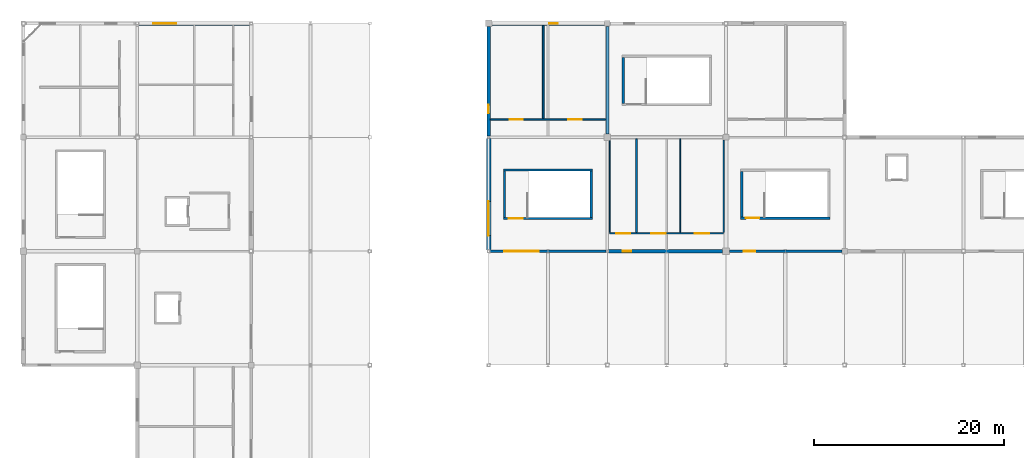
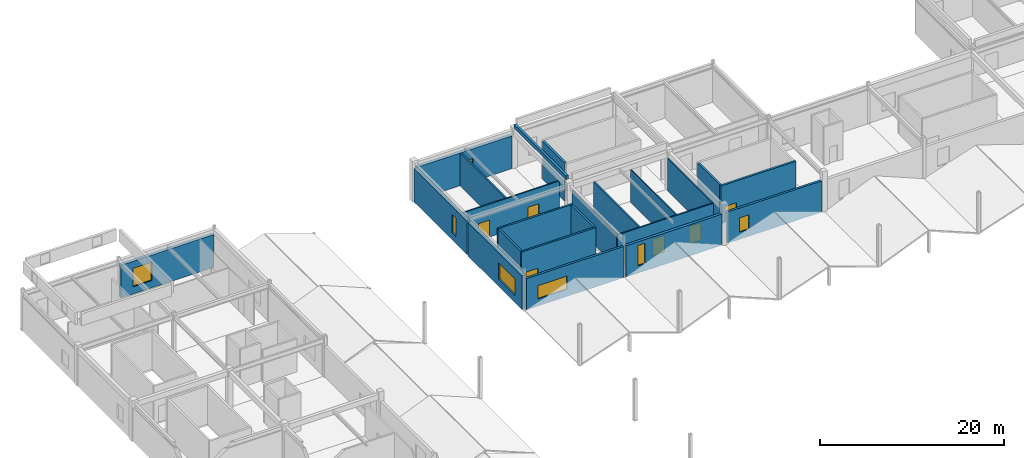
# One storey, part 69 of 76: 22 walls, 7 doors, 7 windows, 14 openings.
"""IFC4 building model written with IfcOpenShell, lengths in metres."""

from ifc_helpers import new_model, si_unit, direction, frame, frame_2d, origin, place, context, subcontext, project, spatial, rectangle, extrude, material, layer, layer_set, type_object, element, fill, save


model = new_model("IFC4")

# Units and contexts
model_context = context("Model", 3, precision=1e-05, world=origin(), true_north=direction((0.0, 1.0)))
body_context = subcontext(model_context, "Body", "Model", "MODEL_VIEW")
ifc_project = project(units=[si_unit("LENGTHUNIT", "METRE"), si_unit("AREAUNIT", "SQUARE_METRE"), si_unit("VOLUMEUNIT", "CUBIC_METRE"), si_unit("PLANEANGLEUNIT", "RADIAN"), si_unit("MASSUNIT", "GRAM", prefix="KILO")], contexts=[model_context])

# Site, building, storey
site_placement = place(None, origin())
site = spatial("IfcSite", under=ifc_project, at=site_placement, CompositionType="ELEMENT")
building_placement = place(site_placement, origin())
building = spatial("IfcBuilding", under=site, at=building_placement, Name="Kazenohara Klinker Stadium", CompositionType="ELEMENT")
storey_placement = place(building_placement, frame((0.0, 0.0, 25.800048828125)))
storey = spatial("IfcBuildingStorey", under=building, at=storey_placement, Name="L05", CompositionType="ELEMENT", Elevation=25.800048828125)

# Wall, opening, door
ifc_material_1 = material(Name="Concrete C40/50", Category="concrete")
ifc_layer_1 = layer(ifc_material_1, 0.22998046875)
ifc_layer_set_1 = layer_set([ifc_layer_1], Name="Concrete C40/50")
wall_type_1 = type_object("IfcWallType", Name="WAL-CORE-230", PredefinedType="SHEAR", material=ifc_layer_set_1)
wall_1_placement = place(storey_placement, frame((50.570068359375, 147.455078125, 0.0), z_axis=(0.0, 0.0, 1.0), x_axis=(1.0, 0.0, 0.0)))
wall_1 = element("IfcWall", 1, at=wall_1_placement, inside=storey, type_object=wall_type_1, Name="Stairwell shear wall ST08 L05 South", PredefinedType="SHEAR", context=body_context, shape_type="SweptSolid", body=[
    extrude(rectangle(XDim=9.35986328125, YDim=0.22998046875, at=frame_2d((4.679931640625, 0.0))), origin(), (0.0, 0.0, 1.0), 5.0400390625),
])
opening_1_placement = place(wall_1_placement, frame((0.550048828125, 0.0, 0.0)))
opening_1 = element("IfcOpeningElement", 2, at=opening_1_placement, cuts=wall_1, Name="Opening SD02", PredefinedType="OPENING", context=body_context, shape_type="SweptSolid", body=[
    extrude(rectangle(XDim=1.5, YDim=2.199951171875, at=frame_2d((0.75, 1.10009765625))), frame((0.0, 0.125, 0.0), z_axis=(0.0, -1.0, 0.0), x_axis=(1.0, 0.0, 0.0)), (0.0, 0.0, 1.0), 0.25),
])
ifc_material_2 = material(Name="Flush painted steel fire door leaf", Category="steel")
door_type_1 = type_object("IfcDoorType", Name="DR-STR-1500x2200", OperationType="NOTDEFINED", PredefinedType="DOOR", material=ifc_material_2)
door_1_placement = place(opening_1_placement, origin())
door_1 = element("IfcDoor", 3, at=door_1_placement, inside=storey, type_object=door_type_1, Name="Escape stairwell fire door ST08-L05", OperationType="SINGLE_SWING_RIGHT", OverallHeight=2.199951171875, OverallWidth=1.5, PredefinedType="DOOR", context=body_context, shape_type="SweptSolid", body=[
    extrude(rectangle(XDim=1.5, YDim=2.199951171875, at=frame_2d((0.75, 1.10009765625))), frame((0.0, 0.02490234375, 0.0), z_axis=(0.0, -1.0, 0.0), x_axis=(1.0, 0.0, 0.0)), (0.0, 0.0, 1.0), 0.050048828125),
])
fill(opening_1, door_1)

# Walls
wall_2_placement = place(storey_placement, frame((50.570068359375, 152.544921875, 0.0), z_axis=(0.0, 0.0, 1.0), x_axis=(1.0, 0.0, 0.0)))
element("IfcWall", 4, at=wall_2_placement, inside=storey, type_object=wall_type_1, Name="Stairwell shear wall ST08 L05 North", PredefinedType="SHEAR", context=body_context, shape_type="SweptSolid", body=[
    extrude(rectangle(XDim=9.35986328125, YDim=0.22998046875, at=frame_2d((4.679931640625, 0.0))), origin(), (0.0, 0.0, 1.0), 5.0400390625),
])
for number, where, z_axis, x_axis, name in (
    (5, (50.68505859375, 147.570068359375, 0.0), (0.0, 0.0, 1.0), (0.0, 1.0, 0.0), "Stairwell shear wall ST08 L05 West"),
    (6, (59.81494140625, 147.570068359375, 0.0), (0.0, 0.0, 1.0), (0.0, 1.0, 0.0), "Stairwell shear wall ST08 L05 East"),
):
    element("IfcWall", number, at=place(storey_placement, frame(where, z_axis=z_axis, x_axis=x_axis)), inside=storey, type_object=wall_type_1, Name=name, PredefinedType="SHEAR", context=body_context, shape_type="SweptSolid", body=[
        extrude(rectangle(XDim=4.85986328125, YDim=0.22998046875, at=frame_2d((2.429931640625, 0.0))), origin(), (0.0, 0.0, 1.0), 5.0400390625),
    ])

# Wall, opening, door
ifc_layer_2 = layer(ifc_material_1, 0.25)
ifc_layer_set_2 = layer_set([ifc_layer_2], Name="Concrete C40/50")
wall_type_2 = type_object("IfcWallType", Name="WAL-CORE-250", PredefinedType="SHEAR", material=ifc_layer_set_2)
wall_3_placement = place(storey_placement, frame((75.550048828125, 147.485107421875, 0.0), z_axis=(0.0, 0.0, 1.0), x_axis=(1.0, 0.0, 0.0)))
wall_3 = element("IfcWall", 7, at=wall_3_placement, inside=storey, type_object=wall_type_2, Name="Stairwell shear wall ST09 L05 South", PredefinedType="SHEAR", context=body_context, shape_type="SweptSolid", body=[
    extrude(rectangle(XDim=9.39990234375, YDim=0.25, at=frame_2d((4.699951171875, 0.0))), origin(), (0.0, 0.0, 1.0), 5.0400390625),
])
opening_2_placement = place(wall_3_placement, frame((0.550048828125, 0.0, 0.0)))
opening_2 = element("IfcOpeningElement", 8, at=opening_2_placement, cuts=wall_3, Name="Opening SD01", PredefinedType="OPENING", context=body_context, shape_type="SweptSolid", body=[
    extrude(rectangle(XDim=1.39990234375, YDim=2.14990234375, at=frame_2d((0.699951171875, 1.074951171875))), frame((0.0, 0.135009765625, 0.0), z_axis=(0.0, -1.0, 0.0), x_axis=(1.0, 0.0, 0.0)), (0.0, 0.0, 1.0), 0.27001953125),
])
door_type_2 = type_object("IfcDoorType", Name="DR-STR-1400x2150", OperationType="NOTDEFINED", PredefinedType="DOOR", material=ifc_material_2)
door_2_placement = place(opening_2_placement, origin())
door_2 = element("IfcDoor", 9, at=door_2_placement, inside=storey, type_object=door_type_2, Name="Escape stairwell fire door ST09-L05", OperationType="SINGLE_SWING_LEFT", OverallHeight=2.14990234375, OverallWidth=1.39990234375, PredefinedType="DOOR", context=body_context, shape_type="SweptSolid", body=[
    extrude(rectangle(XDim=1.39990234375, YDim=2.14990234375, at=frame_2d((0.699951171875, 1.074951171875))), frame((0.0, 0.02490234375, 0.0), z_axis=(0.0, -1.0, 0.0), x_axis=(1.0, 0.0, 0.0)), (0.0, 0.0, 1.0), 0.050048828125),
])
fill(opening_2, door_2)

# Walls
wall_4_placement = place(storey_placement, frame((75.675048828125, 147.610107421875, 0.0), z_axis=(0.0, 0.0, 1.0), x_axis=(0.0, 1.0, 0.0)))
element("IfcWall", 10, at=wall_4_placement, inside=storey, type_object=wall_type_2, Name="Stairwell shear wall ST09 L05 West", PredefinedType="SHEAR", context=body_context, shape_type="SweptSolid", body=[
    extrude(rectangle(XDim=4.77978515625, YDim=0.25, at=frame_2d((2.389892578125, 0.0))), origin(), (0.0, 0.0, 1.0), 5.0400390625),
])
wall_5_placement = place(storey_placement, frame((63.175048828125, 159.580078125, 0.0), z_axis=(0.0, 0.0, 1.0), x_axis=(0.0, 1.0, 0.0)))
element("IfcWall", 11, at=wall_5_placement, inside=storey, type_object=wall_type_2, Name="Stairwell shear wall ST15 L05 West", PredefinedType="SHEAR", context=body_context, shape_type="SweptSolid", body=[
    extrude(rectangle(XDim=4.83984375, YDim=0.25, at=frame_2d((2.419921875, 0.0))), origin(), (0.0, 0.0, 1.0), 5.0400390625),
])

# Wall, opening, window
ifc_material_3 = material(Name="Clinker brick masonry", Category="masonry")
ifc_layer_3 = layer(ifc_material_3, 0.280029296875)
ifc_layer_set_3 = layer_set([ifc_layer_3], Name="Clinker brick masonry")
wall_type_3 = type_object("IfcWallType", Name="WAL-EXT-CB280", PredefinedType="SOLIDWALL", material=ifc_layer_set_3)
wall_6_placement = place(storey_placement, frame((49.154052734375, 144.0, 0.0), z_axis=(0.0, 0.0, 1.0), x_axis=(1.0, 0.0, 0.0)))
wall_6 = element("IfcWall", 12, at=wall_6_placement, inside=storey, type_object=wall_type_3, Name="Clinker brick cavity wall EW06 L05 X4-12", PredefinedType="SOLIDWALL", context=body_context, shape_type="SweptSolid", body=[
    extrude(rectangle(XDim=12.217041015625, YDim=0.280029296875, at=frame_2d((6.1083984375, 0.0))), origin(), (0.0, 0.0, 1.0), 4.1298828125),
])
opening_3_placement = place(wall_6_placement, frame((1.5, 0.0, 0.949951171875)))
opening_3 = element("IfcOpeningElement", 13, at=opening_3_placement, cuts=wall_6, Name="Opening W35", PredefinedType="OPENING", context=body_context, shape_type="SweptSolid", body=[
    extrude(rectangle(XDim=3.60009765625, YDim=1.75, at=frame_2d((1.800048828125, 0.875))), frame((0.0, 0.14990234375, 0.0), z_axis=(0.0, -1.0, 0.0), x_axis=(1.0, 0.0, 0.0)), (0.0, 0.0, 1.0), 0.300048828125),
])
ifc_material_4 = material(Name="Dark bronze aluminium frame and triple glazing", Category="aluminium")
window_type_1 = type_object("IfcWindowType", Name="WIN-AS-35", PartitioningType="SINGLE_PANEL", PredefinedType="WINDOW", material=ifc_material_4)
window_1_placement = place(opening_3_placement, origin())
window_1 = element("IfcWindow", 14, at=window_1_placement, inside=storey, type_object=window_type_1, Name="Horizontal-mullion ladder window W35 L05 X4-12", OverallHeight=1.75, OverallWidth=3.60009765625, PartitioningType="SINGLE_PANEL", PredefinedType="WINDOW", context=body_context, shape_type="SweptSolid", body=[
    extrude(rectangle(XDim=3.60009765625, YDim=1.75, at=frame_2d((1.800048828125, 0.875))), frame((0.0, 0.030029296875, 0.0), z_axis=(0.0, -1.0, 0.0), x_axis=(1.0, 0.0, 0.0)), (0.0, 0.0, 1.0), 0.06005859375),
])
fill(opening_3, window_1)

wall_7_placement = place(storey_placement, frame((74.35400390625, 144.0, 0.0), z_axis=(0.0, 0.0, 1.0), x_axis=(1.0, 0.0, 0.0)))
wall_7 = element("IfcWall", 15, at=wall_7_placement, inside=storey, type_object=wall_type_3, Name="Clinker brick cavity wall EW06 L05 X6-12", PredefinedType="SOLIDWALL", context=body_context, shape_type="SweptSolid", body=[
    extrude(rectangle(XDim=11.842041015625, YDim=0.280029296875, at=frame_2d((5.9208984375, 0.0))), origin(), (0.0, 0.0, 1.0), 4.1298828125),
])
opening_4_placement = place(wall_7_placement, frame((1.5, 0.0, 0.949951171875)))
opening_4 = element("IfcOpeningElement", 16, at=opening_4_placement, cuts=wall_7, Name="Opening W05", PredefinedType="OPENING", context=body_context, shape_type="SweptSolid", body=[
    extrude(rectangle(XDim=1.199951171875, YDim=1.89990234375, at=frame_2d((0.60009765625, 0.949951171875))), frame((0.0, 0.14990234375, 0.0), z_axis=(0.0, -1.0, 0.0), x_axis=(1.0, 0.0, 0.0)), (0.0, 0.0, 1.0), 0.300048828125),
])
window_type_2 = type_object("IfcWindowType", Name="WIN-AS-05", PartitioningType="SINGLE_PANEL", PredefinedType="WINDOW", material=ifc_material_4)
window_2_placement = place(opening_4_placement, origin())
window_2 = element("IfcWindow", 17, at=window_2_placement, inside=storey, type_object=window_type_2, Name="Horizontal-mullion ladder window W05 L05 X6-12", OverallHeight=1.89990234375, OverallWidth=1.199951171875, PartitioningType="SINGLE_PANEL", PredefinedType="WINDOW", context=body_context, shape_type="SweptSolid", body=[
    extrude(rectangle(XDim=1.199951171875, YDim=1.89990234375, at=frame_2d((0.60009765625, 0.949951171875))), frame((0.0, 0.030029296875, 0.0), z_axis=(0.0, -1.0, 0.0), x_axis=(1.0, 0.0, 0.0)), (0.0, 0.0, 1.0), 0.06005859375),
])
fill(opening_4, window_2)

# Wall
ifc_layer_4 = layer(ifc_material_3, 0.31005859375)
ifc_layer_set_4 = layer_set([ifc_layer_4], Name="Clinker brick masonry")
wall_type_4 = type_object("IfcWallType", Name="WAL-EXT-CB310", PredefinedType="SOLIDWALL", material=ifc_layer_set_4)
wall_8_placement = place(storey_placement, frame((61.5, 156.35009765625, 5.39990234375), z_axis=(0.0, 0.0, 1.0), x_axis=(0.0, 1.0, 0.0)))
element("IfcWall", 18, at=wall_8_placement, inside=storey, type_object=wall_type_4, Name="Turret crown klinker wall EW05 NBST-05-W", PredefinedType="SOLIDWALL", context=body_context, shape_type="SweptSolid", body=[
    extrude(rectangle(XDim=11.2998046875, YDim=0.31005859375, at=frame_2d((5.64990234375, 0.0))), origin(), (0.0, 0.0, 1.0), 0.47998046875),
])

# Wall, opening, window
ifc_layer_5 = layer(ifc_material_3, 0.340087890625)
ifc_layer_set_5 = layer_set([ifc_layer_5], Name="Clinker brick masonry")
wall_type_5 = type_object("IfcWallType", Name="WAL-EXT-CB340", PredefinedType="SOLIDWALL", material=ifc_layer_set_5)
wall_9_placement = place(storey_placement, frame((61.62890625, 144.0, 0.0), z_axis=(0.0, 0.0, 1.0), x_axis=(1.0, 0.0, 0.0)))
wall_9 = element("IfcWall", 19, at=wall_9_placement, inside=storey, type_object=wall_type_5, Name="Clinker brick cavity wall EW04 L05 X5-12", PredefinedType="SOLIDWALL", context=body_context, shape_type="SweptSolid", body=[
    extrude(rectangle(XDim=12.01708984375, YDim=0.340087890625, at=frame_2d((6.008544921875, 0.0))), origin(), (0.0, 0.0, 1.0), 4.1298828125),
])
opening_5_placement = place(wall_9_placement, frame((1.5, 0.0, 0.949951171875)))
opening_5 = element("IfcOpeningElement", 20, at=opening_5_placement, cuts=wall_9, Name="Opening W03", PredefinedType="OPENING", context=body_context, shape_type="SweptSolid", body=[
    extrude(rectangle(XDim=0.89990234375, YDim=2.699951171875, at=frame_2d((0.449951171875, 1.35009765625))), frame((0.0, 0.18017578125, 0.0), z_axis=(0.0, -1.0, 0.0), x_axis=(1.0, 0.0, 0.0)), (0.0, 0.0, 1.0), 0.360107421875),
])
window_type_3 = type_object("IfcWindowType", Name="WIN-AS-03", PartitioningType="SINGLE_PANEL", PredefinedType="WINDOW", material=ifc_material_4)
window_3_placement = place(opening_5_placement, origin())
window_3 = element("IfcWindow", 21, at=window_3_placement, inside=storey, type_object=window_type_3, Name="Horizontal-mullion ladder window W03 L05 X5-12", OverallHeight=2.699951171875, OverallWidth=0.89990234375, PartitioningType="SINGLE_PANEL", PredefinedType="WINDOW", context=body_context, shape_type="SweptSolid", body=[
    extrude(rectangle(XDim=0.89990234375, YDim=2.699951171875, at=frame_2d((0.449951171875, 1.35009765625))), frame((0.0, 0.030029296875, 0.0), z_axis=(0.0, -1.0, 0.0), x_axis=(1.0, 0.0, 0.0)), (0.0, 0.0, 1.0), 0.06005859375),
])
fill(opening_5, window_3)

ifc_layer_6 = layer(ifc_material_3, 0.3701171875)
ifc_layer_set_6 = layer_set([ifc_layer_6], Name="Clinker brick masonry")
wall_type_6 = type_object("IfcWallType", Name="WAL-EXT-CB370", PredefinedType="SOLIDWALL", material=ifc_layer_set_6)
wall_10_placement = place(storey_placement, frame((49.0, 156.12890625, 0.0), z_axis=(0.0, 0.0, 1.0), x_axis=(0.0, 1.0, 0.0)))
wall_10 = element("IfcWall", 22, at=wall_10_placement, inside=storey, type_object=wall_type_6, Name="Clinker brick cavity wall EW03 L05 Y4-13", PredefinedType="SOLIDWALL", context=body_context, shape_type="SweptSolid", body=[
    extrude(rectangle(XDim=11.51708984375, YDim=0.3701171875, at=frame_2d((5.758544921875, 0.0))), origin(), (0.0, 0.0, 1.0), 4.451904296875),
])
opening_6_placement = place(wall_10_placement, frame((2.39111328125, 0.0, 0.949951171875)))
opening_6 = element("IfcOpeningElement", 23, at=opening_6_placement, cuts=wall_10, Name="Opening W02", PredefinedType="OPENING", context=body_context, shape_type="SweptSolid", body=[
    extrude(rectangle(XDim=0.89990234375, YDim=2.39990234375, at=frame_2d((0.449951171875, 1.199951171875))), frame((0.0, 0.195068359375, 0.0), z_axis=(0.0, -1.0, 0.0), x_axis=(1.0, 0.0, 0.0)), (0.0, 0.0, 1.0), 0.39013671875),
])
window_type_4 = type_object("IfcWindowType", Name="WIN-AS-02", PartitioningType="SINGLE_PANEL", PredefinedType="WINDOW", material=ifc_material_4)
window_4_placement = place(opening_6_placement, origin())
window_4 = element("IfcWindow", 24, at=window_4_placement, inside=storey, type_object=window_type_4, Name="Horizontal-mullion ladder window W02 L05 Y4-13", OverallHeight=2.39990234375, OverallWidth=0.89990234375, PartitioningType="SINGLE_PANEL", PredefinedType="WINDOW", context=body_context, shape_type="SweptSolid", body=[
    extrude(rectangle(XDim=0.89990234375, YDim=2.39990234375, at=frame_2d((0.449951171875, 1.199951171875))), frame((0.0, 0.030029296875, 0.0), z_axis=(0.0, -1.0, 0.0), x_axis=(1.0, 0.0, 0.0)), (0.0, 0.0, 1.0), 0.06005859375),
])
fill(opening_6, window_4)

ifc_layer_7 = layer(ifc_material_3, 0.409912109375)
ifc_layer_set_7 = layer_set([ifc_layer_7], Name="Clinker brick masonry")
wall_type_7 = type_object("IfcWallType", Name="WAL-EXT-CB410", PredefinedType="SOLIDWALL", material=ifc_layer_set_7)
wall_11_placement = place(storey_placement, frame((12.178955078125, 168.0, 0.0), z_axis=(0.0, 0.0, 1.0), x_axis=(1.0, 0.0, 0.0)))
wall_11 = element("IfcWall", 25, at=wall_11_placement, inside=storey, type_object=wall_type_7, Name="Clinker brick cavity wall EW02 L05 X1-14", PredefinedType="SOLIDWALL", context=body_context, shape_type="SweptSolid", body=[
    extrude(rectangle(XDim=11.6669921875, YDim=0.409912109375, at=frame_2d((5.83349609375, 0.0))), origin(), (0.0, 0.0, 1.0), 4.33984375),
])
opening_7_placement = place(wall_11_placement, frame((1.5, 0.0, 0.949951171875)))
opening_7 = element("IfcOpeningElement", 26, at=opening_7_placement, cuts=wall_11, Name="Opening W25", PredefinedType="OPENING", context=body_context, shape_type="SweptSolid", body=[
    extrude(rectangle(XDim=2.39990234375, YDim=2.449951171875, at=frame_2d((1.199951171875, 1.22509765625))), frame((0.0, 0.21484375, 0.0), z_axis=(0.0, -1.0, 0.0), x_axis=(1.0, 0.0, 0.0)), (0.0, 0.0, 1.0), 0.429931640625),
])
window_type_5 = type_object("IfcWindowType", Name="WIN-AS-25", PartitioningType="SINGLE_PANEL", PredefinedType="WINDOW", material=ifc_material_4)
window_5_placement = place(opening_7_placement, origin())
window_5 = element("IfcWindow", 27, at=window_5_placement, inside=storey, type_object=window_type_5, Name="Horizontal-mullion ladder window W25 L05 X1-14", OverallHeight=2.449951171875, OverallWidth=2.39990234375, PartitioningType="SINGLE_PANEL", PredefinedType="WINDOW", context=body_context, shape_type="SweptSolid", body=[
    extrude(rectangle(XDim=2.39990234375, YDim=2.449951171875, at=frame_2d((1.199951171875, 1.22509765625))), frame((0.0, 0.030029296875, 0.0), z_axis=(0.0, -1.0, 0.0), x_axis=(1.0, 0.0, 0.0)), (0.0, 0.0, 1.0), 0.06005859375),
])
fill(opening_7, window_5)

wall_12_placement = place(storey_placement, frame((49.35400390625, 168.0, 0.0), z_axis=(0.0, 0.0, 1.0), x_axis=(1.0, 0.0, 0.0)))
wall_12 = element("IfcWall", 28, at=wall_12_placement, inside=storey, type_object=wall_type_7, Name="Clinker brick cavity wall EW02 L05 X4-14", PredefinedType="SOLIDWALL", context=body_context, shape_type="SweptSolid", body=[
    extrude(rectangle(XDim=11.842041015625, YDim=0.409912109375, at=frame_2d((5.9208984375, 0.0))), origin(), (0.0, 0.0, 1.0), 4.33984375),
])
opening_8_placement = place(wall_12_placement, frame((6.038818359375, 0.0, 0.949951171875)))
opening_8 = element("IfcOpeningElement", 29, at=opening_8_placement, cuts=wall_12, Name="Opening W01", PredefinedType="OPENING", context=body_context, shape_type="SweptSolid", body=[
    extrude(rectangle(XDim=0.89990234375, YDim=2.10009765625, at=frame_2d((0.449951171875, 1.050048828125))), frame((0.0, 0.21484375, 0.0), z_axis=(0.0, -1.0, 0.0), x_axis=(1.0, 0.0, 0.0)), (0.0, 0.0, 1.0), 0.429931640625),
])
window_type_6 = type_object("IfcWindowType", Name="WIN-AS-01", PartitioningType="SINGLE_PANEL", PredefinedType="WINDOW", material=ifc_material_4)
window_6_placement = place(opening_8_placement, origin())
window_6 = element("IfcWindow", 30, at=window_6_placement, inside=storey, type_object=window_type_6, Name="Horizontal-mullion ladder window W01 L05 X4-14", OverallHeight=2.10009765625, OverallWidth=0.89990234375, PartitioningType="SINGLE_PANEL", PredefinedType="WINDOW", context=body_context, shape_type="SweptSolid", body=[
    extrude(rectangle(XDim=0.89990234375, YDim=2.10009765625, at=frame_2d((0.449951171875, 1.050048828125))), frame((0.0, 0.030029296875, 0.0), z_axis=(0.0, -1.0, 0.0), x_axis=(1.0, 0.0, 0.0)), (0.0, 0.0, 1.0), 0.06005859375),
])
fill(opening_8, window_6)

ifc_layer_8 = layer(ifc_material_3, 0.449951171875)
ifc_layer_set_8 = layer_set([ifc_layer_8], Name="Clinker brick masonry")
wall_type_8 = type_object("IfcWallType", Name="WAL-EXT-CB450", PredefinedType="SOLIDWALL", material=ifc_layer_set_8)
wall_13_placement = place(storey_placement, frame((49.0, 144.154052734375, 0.0), z_axis=(0.0, 0.0, 1.0), x_axis=(0.0, 1.0, 0.0)))
wall_13 = element("IfcWall", 31, at=wall_13_placement, inside=storey, type_object=wall_type_8, Name="Clinker brick cavity wall EW01 L05 Y4-12", PredefinedType="SOLIDWALL", context=body_context, shape_type="SweptSolid", body=[
    extrude(rectangle(XDim=11.717041015625, YDim=0.449951171875, at=frame_2d((5.8583984375, 0.0))), origin(), (0.0, 0.0, 1.0), 4.43994140625),
])
opening_9_placement = place(wall_13_placement, frame((1.5, 0.0, 0.949951171875)))
opening_9 = element("IfcOpeningElement", 32, at=opening_9_placement, cuts=wall_13, Name="Opening W36", PredefinedType="OPENING", context=body_context, shape_type="SweptSolid", body=[
    extrude(rectangle(XDim=3.60009765625, YDim=2.14990234375, at=frame_2d((1.800048828125, 1.074951171875))), frame((0.0, 0.23486328125, 0.0), z_axis=(0.0, -1.0, 0.0), x_axis=(1.0, 0.0, 0.0)), (0.0, 0.0, 1.0), 0.469970703125),
])
window_type_7 = type_object("IfcWindowType", Name="WIN-AS-36", PartitioningType="SINGLE_PANEL", PredefinedType="WINDOW", material=ifc_material_4)
window_7_placement = place(opening_9_placement, origin())
window_7 = element("IfcWindow", 33, at=window_7_placement, inside=storey, type_object=window_type_7, Name="Horizontal-mullion ladder window W36 L05 Y4-12", OverallHeight=2.14990234375, OverallWidth=3.60009765625, PartitioningType="SINGLE_PANEL", PredefinedType="WINDOW", context=body_context, shape_type="SweptSolid", body=[
    extrude(rectangle(XDim=3.60009765625, YDim=2.14990234375, at=frame_2d((1.800048828125, 1.074951171875))), frame((0.0, 0.030029296875, 0.0), z_axis=(0.0, -1.0, 0.0), x_axis=(1.0, 0.0, 0.0)), (0.0, 0.0, 1.0), 0.06005859375),
])
fill(opening_9, window_7)

# Walls
ifc_material_5 = material(Name="Fire-rated gypsum board on acoustic studs", Category="gypsum")
ifc_layer_9 = layer(ifc_material_5, 0.110107421875)
ifc_layer_set_9 = layer_set([ifc_layer_9], Name="Fire-rated gypsum board on acoustic studs")
wall_type_9 = type_object("IfcWallType", Name="WAL-INT-P110", PredefinedType="PARTITIONING", material=ifc_layer_set_9)
wall_14_placement = place(storey_placement, frame((69.201171875, 145.97998046875, 0.0), z_axis=(0.0, 0.0, 1.0), x_axis=(0.0, 1.0, 0.0)))
element("IfcWall", 34, at=wall_14_placement, inside=storey, type_object=wall_type_9, Name="Interior partition wall PT01 SPC-L05-05-12-1-6", PredefinedType="PARTITIONING", context=body_context, shape_type="SweptSolid", body=[
    extrude(rectangle(XDim=9.863037109375, YDim=0.110107421875, at=frame_2d((4.931640625, 0.0))), origin(), (0.0, 0.0, 1.0), 4.349853515625),
])
ifc_layer_10 = layer(ifc_material_5, 0.1201171875)
ifc_layer_set_10 = layer_set([ifc_layer_10], Name="Fire-rated gypsum board on acoustic studs")
wall_type_10 = type_object("IfcWallType", Name="WAL-INT-P120", PredefinedType="PARTITIONING", material=ifc_layer_set_10)
wall_15_placement = place(storey_placement, frame((61.739990234375, 145.97998046875, 0.0), z_axis=(0.0, 0.0, 1.0), x_axis=(0.0, 1.0, 0.0)))
element("IfcWall", 35, at=wall_15_placement, inside=storey, type_object=wall_type_10, Name="Interior partition wall PT02 SPC-L05-05-12-1-1", PredefinedType="PARTITIONING", context=body_context, shape_type="SweptSolid", body=[
    extrude(rectangle(XDim=9.666015625, YDim=0.1201171875, at=frame_2d((4.8330078125, 0.0))), origin(), (0.0, 0.0, 1.0), 4.349853515625),
])
ifc_layer_11 = layer(ifc_material_5, 0.139892578125)
ifc_layer_set_11 = layer_set([ifc_layer_11], Name="Fire-rated gypsum board on acoustic studs")
wall_type_11 = type_object("IfcWallType", Name="WAL-INT-P140", PredefinedType="PARTITIONING", material=ifc_layer_set_11)
wall_16_placement = place(storey_placement, frame((73.760009765625, 145.97998046875, 0.0), z_axis=(0.0, 0.0, 1.0), x_axis=(0.0, 1.0, 0.0)))
element("IfcWall", 36, at=wall_16_placement, inside=storey, type_object=wall_type_11, Name="Interior partition wall PT03 SPC-L05-05-12-1-2", PredefinedType="PARTITIONING", context=body_context, shape_type="SweptSolid", body=[
    extrude(rectangle(XDim=9.716064453125, YDim=0.139892578125, at=frame_2d((4.85791015625, 0.0))), origin(), (0.0, 0.0, 1.0), 4.300048828125),
])

# Wall, openings, doors
ifc_layer_12 = layer(ifc_material_5, 0.169921875)
ifc_layer_set_12 = layer_set([ifc_layer_12], Name="Fire-rated gypsum board on acoustic studs")
wall_type_12 = type_object("IfcWallType", Name="WAL-INT-P170", PredefinedType="PARTITIONING", material=ifc_layer_set_12)
wall_17_placement = place(storey_placement, frame((49.18701171875, 157.889892578125, 0.0), z_axis=(0.0, 0.0, 1.0), x_axis=(1.0, 0.0, 0.0)))
wall_17 = element("IfcWall", 37, at=wall_17_placement, inside=storey, type_object=wall_type_12, Name="Interior partition wall PT05 SPC-L05-04-13-1-1", PredefinedType="PARTITIONING", context=body_context, shape_type="SweptSolid", body=[
    extrude(rectangle(XDim=12.156005859375, YDim=0.169921875, at=frame_2d((6.078125, 0.0))), origin(), (0.0, 0.0, 1.0), 4.349853515625),
])
opening_10_placement = place(wall_17_placement, frame((2.054443359375, 0.0, 0.0)))
opening_10 = element("IfcOpeningElement", 38, at=opening_10_placement, cuts=wall_17, Name="Opening ID17", PredefinedType="OPENING", context=body_context, shape_type="SweptSolid", body=[
    extrude(rectangle(XDim=1.360107421875, YDim=2.25, at=frame_2d((0.68017578125, 1.125))), frame((0.0, 0.094970703125, 0.0), z_axis=(0.0, -1.0, 0.0), x_axis=(1.0, 0.0, 0.0)), (0.0, 0.0, 1.0), 0.18994140625),
])
opening_11_placement = place(wall_17_placement, frame((8.204345703125, 0.0, 0.0)))
opening_11 = element("IfcOpeningElement", 39, at=opening_11_placement, cuts=wall_17, Name="Opening ID18", PredefinedType="OPENING", context=body_context, shape_type="SweptSolid", body=[
    extrude(rectangle(XDim=1.39990234375, YDim=2.239990234375, at=frame_2d((0.699951171875, 1.1201171875))), frame((0.0, 0.094970703125, 0.0), z_axis=(0.0, -1.0, 0.0), x_axis=(1.0, 0.0, 0.0)), (0.0, 0.0, 1.0), 0.18994140625),
])
ifc_material_6 = material(Name="Solid-core Hokkaido oak fire door", Category="wood")
door_type_3 = type_object("IfcDoorType", Name="DR-INT-17", OperationType="NOTDEFINED", PredefinedType="DOOR", material=ifc_material_6)
door_3_placement = place(opening_10_placement, origin())
door_3 = element("IfcDoor", 40, at=door_3_placement, inside=storey, type_object=door_type_3, Name="Interior door ID17 Post-Match Press Conference Theatre L05-0413A", OperationType="SINGLE_SWING_RIGHT", OverallHeight=2.25, OverallWidth=1.360107421875, PredefinedType="DOOR", context=body_context, shape_type="SweptSolid", body=[
    extrude(rectangle(XDim=1.360107421875, YDim=2.25, at=frame_2d((0.68017578125, 1.125))), frame((0.0, 0.02490234375, 0.0), z_axis=(0.0, -1.0, 0.0), x_axis=(1.0, 0.0, 0.0)), (0.0, 0.0, 1.0), 0.050048828125),
])
fill(opening_10, door_3)
door_type_4 = type_object("IfcDoorType", Name="DR-INT-18", OperationType="NOTDEFINED", PredefinedType="DOOR", material=ifc_material_6)
door_4_placement = place(opening_11_placement, origin())
door_4 = element("IfcDoor", 41, at=door_4_placement, inside=storey, type_object=door_type_4, Name="Interior door ID18 Bowl Lighting and Acoustic Control Studio L05-0413B", OperationType="SINGLE_SWING_LEFT", OverallHeight=2.239990234375, OverallWidth=1.39990234375, PredefinedType="DOOR", context=body_context, shape_type="SweptSolid", body=[
    extrude(rectangle(XDim=1.39990234375, YDim=2.239990234375, at=frame_2d((0.699951171875, 1.1201171875))), frame((0.0, 0.02490234375, 0.0), z_axis=(0.0, -1.0, 0.0), x_axis=(1.0, 0.0, 0.0)), (0.0, 0.0, 1.0), 0.050048828125),
])
fill(opening_11, door_4)

wall_18_placement = place(storey_placement, frame((61.739990234375, 145.889892578125, 0.0), z_axis=(0.0, 0.0, 1.0), x_axis=(1.0, 0.0, 0.0)))
wall_18 = element("IfcWall", 42, at=wall_18_placement, inside=storey, type_object=wall_type_12, Name="Interior partition wall PT05 SPC-L05-05-12-1-4", PredefinedType="PARTITIONING", context=body_context, shape_type="SweptSolid", body=[
    extrude(rectangle(XDim=12.02001953125, YDim=0.169921875, at=frame_2d((6.010009765625, 0.0))), origin(), (0.0, 0.0, 1.0), 4.349853515625),
])
opening_12_placement = place(wall_18_placement, frame((0.711181640625, 0.0, 0.0)))
opening_12 = element("IfcOpeningElement", 43, at=opening_12_placement, cuts=wall_18, Name="Opening ID19", PredefinedType="OPENING", context=body_context, shape_type="SweptSolid", body=[
    extrude(rectangle(XDim=1.43994140625, YDim=2.260009765625, at=frame_2d((0.719970703125, 1.1298828125))), frame((0.0, 0.094970703125, 0.0), z_axis=(0.0, -1.0, 0.0), x_axis=(1.0, 0.0, 0.0)), (0.0, 0.0, 1.0), 0.18994140625),
])
opening_13_placement = place(wall_18_placement, frame((4.41162109375, 0.0, 0.0)))
opening_13 = element("IfcOpeningElement", 44, at=opening_13_placement, cuts=wall_18, Name="Opening ID20", PredefinedType="OPENING", context=body_context, shape_type="SweptSolid", body=[
    extrude(rectangle(XDim=1.47998046875, YDim=2.239990234375, at=frame_2d((0.739990234375, 1.1201171875))), frame((0.0, 0.094970703125, 0.0), z_axis=(0.0, -1.0, 0.0), x_axis=(1.0, 0.0, 0.0)), (0.0, 0.0, 1.0), 0.18994140625),
])
opening_14_placement = place(wall_18_placement, frame((8.970703125, 0.0, 0.0)))
opening_14 = element("IfcOpeningElement", 45, at=opening_14_placement, cuts=wall_18, Name="Opening ID21", PredefinedType="OPENING", context=body_context, shape_type="SweptSolid", body=[
    extrude(rectangle(XDim=1.52001953125, YDim=2.280029296875, at=frame_2d((0.760009765625, 1.14013671875))), frame((0.0, 0.094970703125, 0.0), z_axis=(0.0, -1.0, 0.0), x_axis=(1.0, 0.0, 0.0)), (0.0, 0.0, 1.0), 0.18994140625),
])
ifc_material_7 = material(Name="Painted steel plant fire door", Category="steel")
door_type_5 = type_object("IfcDoorType", Name="DR-INT-19", OperationType="NOTDEFINED", PredefinedType="DOOR", material=ifc_material_7)
door_5_placement = place(opening_12_placement, origin())
door_5 = element("IfcDoor", 46, at=door_5_placement, inside=storey, type_object=door_type_5, Name="Interior door ID19 Accessible Water Closet Restroom L05-0512A", OperationType="SINGLE_SWING_RIGHT", OverallHeight=2.260009765625, OverallWidth=1.43994140625, PredefinedType="DOOR", context=body_context, shape_type="SweptSolid", body=[
    extrude(rectangle(XDim=1.43994140625, YDim=2.260009765625, at=frame_2d((0.719970703125, 1.1298828125))), frame((0.0, 0.02490234375, 0.0), z_axis=(0.0, -1.0, 0.0), x_axis=(1.0, 0.0, 0.0)), (0.0, 0.0, 1.0), 0.050048828125),
])
fill(opening_12, door_5)
door_type_6 = type_object("IfcDoorType", Name="DR-INT-20", OperationType="NOTDEFINED", PredefinedType="DOOR", material=ifc_material_7)
door_6_placement = place(opening_13_placement, origin())
door_6 = element("IfcDoor", 47, at=door_6_placement, inside=storey, type_object=door_type_6, Name="Interior door ID20 Water Closet Restroom Male L05-0512B", OperationType="SINGLE_SWING_LEFT", OverallHeight=2.239990234375, OverallWidth=1.47998046875, PredefinedType="DOOR", context=body_context, shape_type="SweptSolid", body=[
    extrude(rectangle(XDim=1.47998046875, YDim=2.239990234375, at=frame_2d((0.739990234375, 1.1201171875))), frame((0.0, 0.02490234375, 0.0), z_axis=(0.0, -1.0, 0.0), x_axis=(1.0, 0.0, 0.0)), (0.0, 0.0, 1.0), 0.050048828125),
])
fill(opening_13, door_6)
door_type_7 = type_object("IfcDoorType", Name="DR-INT-21", OperationType="NOTDEFINED", PredefinedType="DOOR", material=ifc_material_7)
door_7_placement = place(opening_14_placement, origin())
door_7 = element("IfcDoor", 48, at=door_7_placement, inside=storey, type_object=door_type_7, Name="Interior door ID21 Water Closet Restroom Female L05-0512C", OperationType="SINGLE_SWING_RIGHT", OverallHeight=2.280029296875, OverallWidth=1.52001953125, PredefinedType="DOOR", context=body_context, shape_type="SweptSolid", body=[
    extrude(rectangle(XDim=1.52001953125, YDim=2.280029296875, at=frame_2d((0.760009765625, 1.14013671875))), frame((0.0, 0.02490234375, 0.0), z_axis=(0.0, -1.0, 0.0), x_axis=(1.0, 0.0, 0.0)), (0.0, 0.0, 1.0), 0.050048828125),
])
fill(opening_14, door_7)

# Walls
ifc_layer_13 = layer(ifc_material_5, 0.18994140625)
ifc_layer_set_13 = layer_set([ifc_layer_13], Name="Fire-rated gypsum board on acoustic studs")
wall_type_13 = type_object("IfcWallType", Name="WAL-INT-P190", PredefinedType="PARTITIONING", material=ifc_layer_set_13)
wall_19_placement = place(storey_placement, frame((54.7626953125, 157.97998046875, 0.0), z_axis=(0.0, 0.0, 1.0), x_axis=(0.0, 1.0, 0.0)))
element("IfcWall", 49, at=wall_19_placement, inside=storey, type_object=wall_type_13, Name="Interior partition wall PT06 SPC-L05-04-13-1-2", PredefinedType="PARTITIONING", context=body_context, shape_type="SweptSolid", body=[
    extrude(rectangle(XDim=9.81298828125, YDim=0.18994140625, at=frame_2d((4.906494140625, 0.0))), origin(), (0.0, 0.0, 1.0), 4.349853515625),
])
wall_20_placement = place(storey_placement, frame((64.582275390625, 145.97998046875, 0.0), z_axis=(0.0, 0.0, 1.0), x_axis=(0.0, 1.0, 0.0)))
element("IfcWall", 50, at=wall_20_placement, inside=storey, type_object=wall_type_13, Name="Interior partition wall PT06 SPC-L05-05-12-1-5", PredefinedType="PARTITIONING", context=body_context, shape_type="SweptSolid", body=[
    extrude(rectangle(XDim=9.863037109375, YDim=0.18994140625, at=frame_2d((4.931640625, 0.0))), origin(), (0.0, 0.0, 1.0), 4.349853515625),
])

save(model, "model.ifc")
